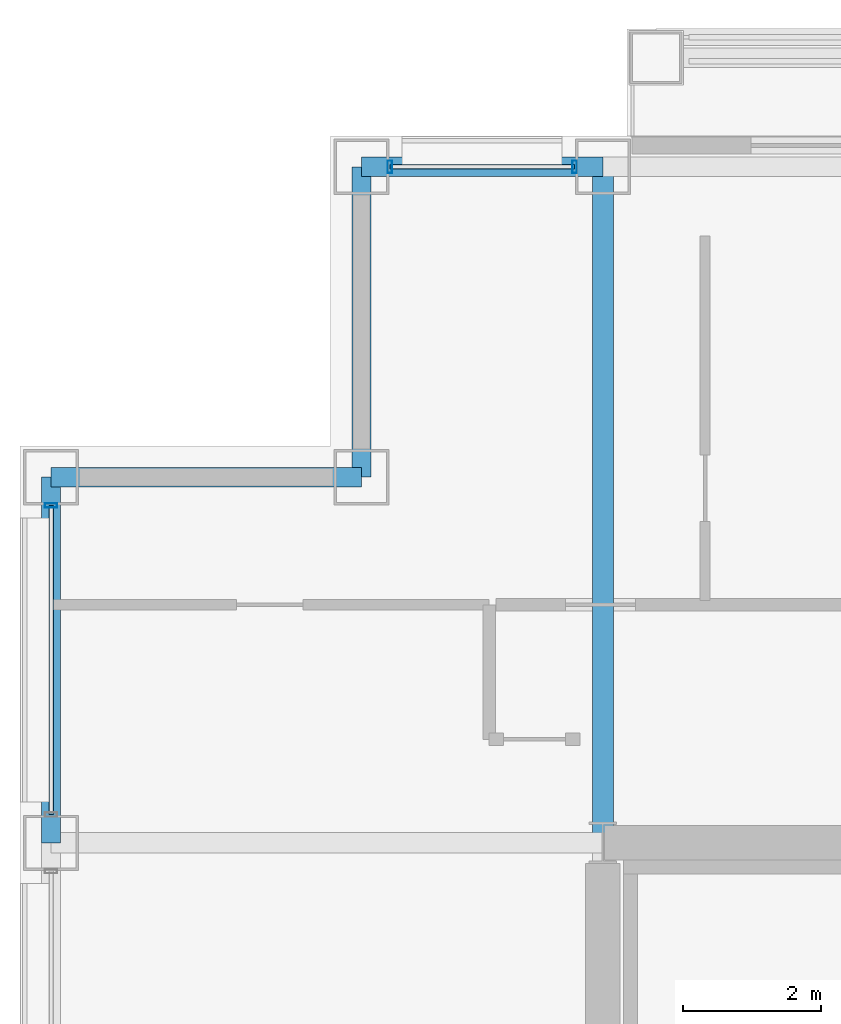
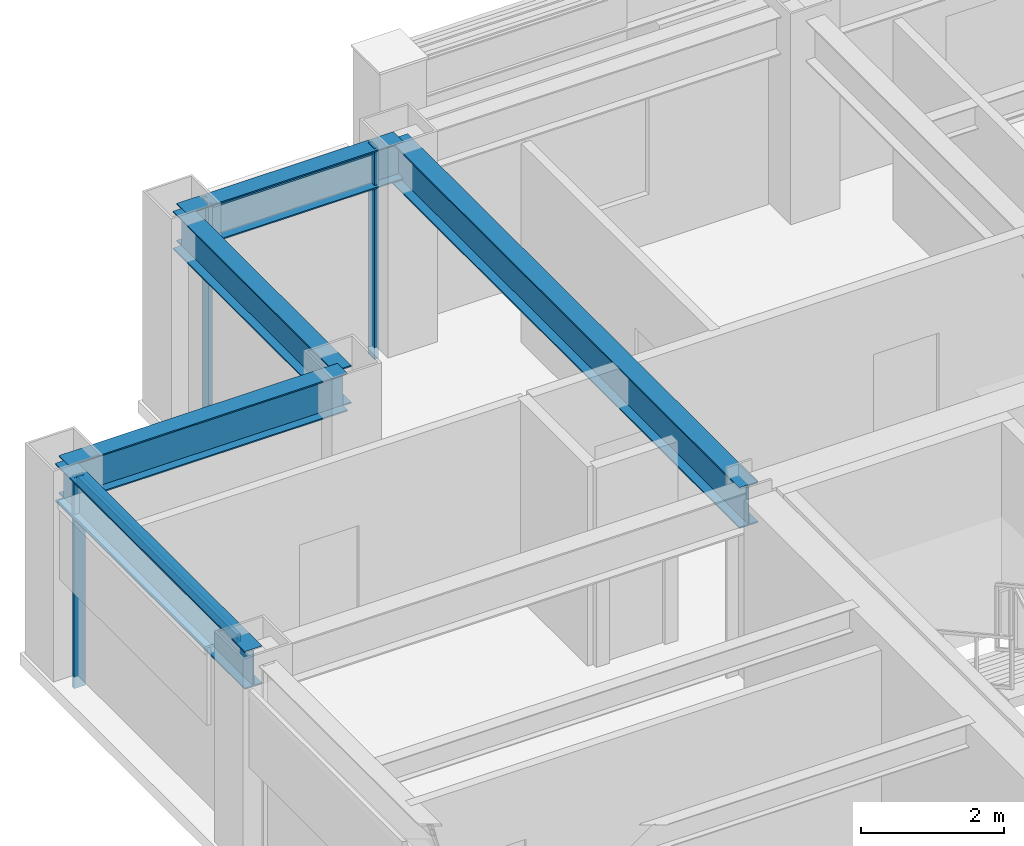
# One storey, part 17 of 29: 5 beams, 5 members, 2 elements without a shape of their own.
"""IFC4 building model written with IfcOpenShell, lengths in metres."""

import ifcopenshell
import ifcopenshell.guid

model = None  # the IFC model being written
_history = None  # IfcOwnerHistory: only IFC2X3 demands one
_inside = {}  # id of a spatial element -> (the spatial element, [elements in it])
_under = {}  # id of a project, library or spatial element -> (it, [spatial elements below it])
_declared = {}  # id of a project -> (the project, [libraries it declares])
_typed = {}  # id of a type object -> (the type object, [elements of that type])
_made_of = {}  # id of a material, layer set ... -> (it, [elements and type objects made of it])


def new_model(schema):
    """Start an empty IFC model of exactly this schema.

    Asked for "IFC4X3", IfcOpenShell would pick the latest addendum, in which some entities
    have other attributes; the version numbers below select the first issue.
    IFC2X3 requires an IfcOwnerHistory on every rooted entity: one is made here for all.
    """
    global model, _history
    if schema == "IFC4X3":
        model = ifcopenshell.file(schema_version=(4, 3, 0, 0))
    else:
        model = ifcopenshell.file(schema=schema)
    _inside.clear()
    _under.clear()
    _declared.clear()
    _typed.clear()
    _made_of.clear()
    _history = None
    if model.schema == "IFC2X3":
        org = make("IfcOrganization", Name="unknown")
        user = make(
            "IfcPersonAndOrganization",
            ThePerson=make("IfcPerson", FamilyName="unknown"),
            TheOrganization=org,
        )
        app = make(
            "IfcApplication",
            ApplicationDeveloper=org,
            Version="unknown",
            ApplicationFullName="unknown",
            ApplicationIdentifier="unknown",
        )
        _history = make(
            "IfcOwnerHistory",
            OwningUser=user,
            OwningApplication=app,
            ChangeAction="ADDED",
            CreationDate=0,
        )
    return model


def make(cls, **values):
    """One entity of the class cls with the attributes given. An attribute that is None is left unset."""
    return model.create_entity(
        cls, **{name: value for name, value in values.items() if value is not None}
    )


def rooted(cls, **values):
    """An entity with a GlobalId (a new one), such as an element, a storey or a relation."""
    return make(cls, GlobalId=ifcopenshell.guid.new(), OwnerHistory=_history, **values)


def si_unit(unit_type, name, prefix=None):
    """IfcSIUnit, for example si_unit("LENGTHUNIT", "METRE", prefix="MILLI")."""
    return make("IfcSIUnit", UnitType=unit_type, Prefix=prefix, Name=name)


def assignment(units):
    """IfcUnitAssignment: the units of a project."""
    return None if units is None else make("IfcUnitAssignment", Units=units)


def point(xyz):
    """IfcCartesianPoint."""
    return None if xyz is None else make("IfcCartesianPoint", Coordinates=xyz)


def direction(xyz):
    """IfcDirection."""
    return None if xyz is None else make("IfcDirection", DirectionRatios=xyz)


def frame(location, z_axis=None, x_axis=None):
    """IfcAxis2Placement3D, a coordinate frame: its origin and axes. An axis left out is left unset."""
    return make(
        "IfcAxis2Placement3D",
        Location=point(location),
        Axis=direction(z_axis),
        RefDirection=direction(x_axis),
    )


def frame_2d(location, x_axis=None):
    """IfcAxis2Placement2D, a coordinate frame in the plane: its origin and x axis."""
    return make(
        "IfcAxis2Placement2D", Location=point(location), RefDirection=direction(x_axis)
    )


def origin():
    """The frame at (0, 0, 0) with its axes left unset."""
    return frame((0.0, 0.0, 0.0))


def origin_2d():
    """The frame at (0, 0) in the plane with its x axis left unset."""
    return frame_2d((0.0, 0.0))


def place(relative_to, where):
    """IfcLocalPlacement: puts the frame where relative to a parent placement (None: the world)."""
    return make(
        "IfcLocalPlacement", PlacementRelTo=relative_to, RelativePlacement=where
    )


def context(
    kind, dimensions, precision=None, world=None, true_north=None, identifier=None
):
    """IfcGeometricRepresentationContext, for example the 3D "Model" context."""
    return make(
        "IfcGeometricRepresentationContext",
        ContextIdentifier=identifier,
        ContextType=kind,
        CoordinateSpaceDimension=dimensions,
        Precision=precision,
        WorldCoordinateSystem=world,
        TrueNorth=true_north,
    )


def subcontext(parent, identifier, kind, view, scale=None):
    """IfcGeometricRepresentationSubContext, for example "Body" below "Model"."""
    return make(
        "IfcGeometricRepresentationSubContext",
        ContextIdentifier=identifier,
        ContextType=kind,
        ParentContext=parent,
        TargetScale=scale,
        TargetView=view,
    )


def project(units=None, contexts=None):
    """IfcProject with its units and contexts."""
    return rooted(
        "IfcProject",
        Name="project",
        RepresentationContexts=contexts,
        UnitsInContext=assignment(units),
    )


def spatial(cls, under=None, at=None, **own):
    """A site, building, storey or space (cls), placed at a placement, below another one or the project."""
    s = rooted(cls, ObjectPlacement=at, **own)
    if under is not None:
        _under.setdefault(under.id(), (under, []))[1].append(s)
    return s


def profile(cls, at=None, kind="AREA", **sizes):
    """A parametric profile (cls). Its sizes go by their IFC names, for example OverallWidth=200.0."""
    return make(cls, ProfileType=kind, Position=at, **sizes)


def hollow_rectangle(**sizes):
    """IfcRectangleHollowProfileDef."""
    return profile("IfcRectangleHollowProfileDef", **sizes)


def i_section(**sizes):
    """IfcIShapeProfileDef."""
    return profile("IfcIShapeProfileDef", **sizes)


def extrude(swept, where, along, depth):
    """IfcExtrudedAreaSolid: the profile swept, set in the frame where, extruded along a direction by depth."""
    return make(
        "IfcExtrudedAreaSolid",
        SweptArea=swept,
        Position=where,
        ExtrudedDirection=direction(along),
        Depth=depth,
    )


def shape(context_of_items, identifier, shape_type, items):
    """IfcShapeRepresentation: the items that make up one representation, for example the "Body"."""
    return make(
        "IfcShapeRepresentation",
        ContextOfItems=context_of_items,
        RepresentationIdentifier=identifier,
        RepresentationType=shape_type,
        Items=items,
    )


def material(Name=None, Category=None):
    """IfcMaterial."""
    return make("IfcMaterial", Name=Name, Category=Category)


def layer(
    of_material, thickness, ventilated=None, Name=None, Category=None, Priority=None
):
    """IfcMaterialLayer: one layer of a wall or slab, of a material (None: an air gap)."""
    return make(
        "IfcMaterialLayer",
        Material=of_material,
        LayerThickness=thickness,
        IsVentilated=ventilated,
        Name=Name,
        Category=Category,
        Priority=Priority,
    )


def layer_set(layers, Name=None):
    """IfcMaterialLayerSet."""
    return make("IfcMaterialLayerSet", MaterialLayers=layers, LayerSetName=Name)


def material_profile(
    of_material, cross_section, Name=None, Category=None, Priority=None
):
    """IfcMaterialProfile: a cross section and its material."""
    return make(
        "IfcMaterialProfile",
        Name=Name,
        Material=of_material,
        Profile=cross_section,
        Priority=Priority,
        Category=Category,
    )


def profile_set(profiles, Name=None, composite=None):
    """IfcMaterialProfileSet."""
    return make(
        "IfcMaterialProfileSet",
        Name=Name,
        MaterialProfiles=profiles,
        CompositeProfile=composite,
    )


def made_of(thing, what):
    """Note that an element or type object is made of a material, layer set ...; save() writes the relation."""
    if what is not None:
        _made_of.setdefault(what.id(), (what, []))[1].append(thing)
    return thing


def type_object(cls, material=None, **own):
    """A type object (cls), such as IfcWallType, which elements share."""
    return made_of(rooted(cls, **own), material)


def element(
    cls,
    number,
    at=None,
    inside=None,
    cuts=None,
    type_object=None,
    material=None,
    context=None,
    identifier="Body",
    shape_type=None,
    held_by="IfcProductDefinitionShape",
    body=None,
    shapes=None,
    **own,
):
    """One element of the class cls, such as IfcWall. Its Tag is "e" and its number.

    at: its placement. inside: the storey or other place that contains it. cuts: it is an
    opening in that element (IfcRelVoidsElement). A single representation is given by context,
    identifier, shape_type and body (its items); several are given by shapes. held_by: the class
    of the entity that holds the representations. save() writes the other relations.
    """
    e = rooted(cls, Tag="e%d" % number, ObjectPlacement=at, **own)
    if body is not None:
        shapes = [shape(context, identifier, shape_type, body)]
    if shapes is not None:
        e.Representation = make(held_by, Representations=shapes)
    if inside is not None:
        _inside.setdefault(inside.id(), (inside, []))[1].append(e)
    if cuts is not None:
        rooted(
            "IfcRelVoidsElement", RelatingBuildingElement=cuts, RelatedOpeningElement=e
        )
    if type_object is not None:
        _typed.setdefault(type_object.id(), (type_object, []))[1].append(e)
    return made_of(e, material)


def aggregate(whole, parts):
    """IfcRelAggregates: a whole, such as a stair, and the parts it consists of."""
    return rooted("IfcRelAggregates", RelatingObject=whole, RelatedObjects=parts)


def save(model, path):
    """Write the relations noted so far, then the file.

    IfcRelAggregates (storeys below a building ...), IfcRelContainedInSpatialStructure (elements
    in a storey), IfcRelDefinesByType, IfcRelAssociatesMaterial and IfcRelDeclares: one each for
    every whole, place, type object, material and project.
    """
    for whole, parts in _under.values():
        aggregate(whole, parts)
    for where, things in _inside.values():
        rooted(
            "IfcRelContainedInSpatialStructure",
            RelatedElements=things,
            RelatingStructure=where,
        )
    for kind, things in _typed.values():
        rooted("IfcRelDefinesByType", RelatedObjects=things, RelatingType=kind)
    for what, things in _made_of.values():
        rooted("IfcRelAssociatesMaterial", RelatedObjects=things, RelatingMaterial=what)
    for by, libraries in _declared.values():
        rooted("IfcRelDeclares", RelatingContext=by, RelatedDefinitions=libraries)
    model.write(path)


model = new_model("IFC4")

# Units and contexts
model_context = context("Model", 3, precision=1e-05, world=origin(), true_north=direction((0.0, 1.0)))
body_context = subcontext(model_context, "Body", "Model", "MODEL_VIEW")
ifc_project = project(units=[si_unit("LENGTHUNIT", "METRE"), si_unit("AREAUNIT", "SQUARE_METRE"), si_unit("VOLUMEUNIT", "CUBIC_METRE"), si_unit("PLANEANGLEUNIT", "RADIAN"), si_unit("MASSUNIT", "GRAM", prefix="KILO")], contexts=[model_context])

# Site, building, storey
site_placement = place(None, origin())
site = spatial("IfcSite", under=ifc_project, at=site_placement, CompositionType="ELEMENT")
building_placement = place(site_placement, origin())
building = spatial("IfcBuilding", under=site, at=building_placement, Name="Brelmoor Portico Tower", CompositionType="ELEMENT")
storey_placement = place(building_placement, frame((0.0, 0.0, 138.60009765625)))
storey = spatial("IfcBuildingStorey", under=building, at=storey_placement, Name="L36", CompositionType="ELEMENT", Elevation=138.60009765625)

# Beams
ifc_material_1 = material(Name="Steel Q355B", Category="steel")
ifc_material_profile_1 = material_profile(ifc_material_1, i_section(OverallWidth=0.300048828125, OverallDepth=0.699951171875, WebThickness=0.012939453125, FlangeThickness=0.02392578125, at=origin_2d()), Name="HN 700x300x13x24")
ifc_profile_set_1 = profile_set([ifc_material_profile_1], Name="Steel Q355B")
beam_type_1 = type_object("IfcBeamType", Name="BM-PG-700", PredefinedType="BEAM", material=ifc_profile_set_1)
beam_1_placement = place(storey_placement, frame((-14.550048828125, 9.75, 3.0498046875), z_axis=(0.0, 1.0, 0.0), x_axis=(-1.0, 0.0, 0.0)))
element("IfcBeam", 1, at=beam_1_placement, inside=storey, type_object=beam_type_1, Name="L36 Primary Floor Girder PG-04", PredefinedType="BEAM", context=body_context, shape_type="SweptSolid", body=[
    extrude(i_section(OverallWidth=0.300048828125, OverallDepth=0.699951171875, WebThickness=0.012939453125, FlangeThickness=0.02392578125, at=origin_2d()), origin(), (0.0, 0.0, 1.0), 9.800048828125),
])
ifc_material_profile_2 = material_profile(ifc_material_1, i_section(OverallWidth=0.280029296875, OverallDepth=0.64990234375, WebThickness=0.012939453125, FlangeThickness=0.02197265625, at=origin_2d()), Name="HN 650x280x13x22")
ifc_profile_set_2 = profile_set([ifc_material_profile_2], Name="Steel Q355B")
beam_type_2 = type_object("IfcBeamType", Name="BM-SP-650", PredefinedType="SPANDREL", material=ifc_profile_set_2)
beam_2_placement = place(storey_placement, frame((-22.550048828125, 15.050048828125, 3.074951171875), z_axis=(1.0, 0.0, 0.0), x_axis=(0.0, 1.0, 0.0)))
element("IfcBeam", 2, at=beam_2_placement, inside=storey, type_object=beam_type_2, Name="L36 Perimeter Spandrel Beam SP-08", PredefinedType="SPANDREL", context=body_context, shape_type="SweptSolid", body=[
    extrude(i_section(OverallWidth=0.280029296875, OverallDepth=0.64990234375, WebThickness=0.012939453125, FlangeThickness=0.02197265625, at=origin_2d()), origin(), (0.0, 0.0, 1.0), 4.5),
])
beam_3_placement = place(storey_placement, frame((-18.050048828125, 19.550048828125, 3.074951171875), z_axis=(1.0, 0.0, 0.0), x_axis=(0.0, 1.0, 0.0)))
element("IfcBeam", 3, at=beam_3_placement, inside=storey, type_object=beam_type_2, Name="L36 Perimeter Spandrel Beam SP-10", PredefinedType="SPANDREL", context=body_context, shape_type="SweptSolid", body=[
    extrude(i_section(OverallWidth=0.280029296875, OverallDepth=0.64990234375, WebThickness=0.012939453125, FlangeThickness=0.02197265625, at=origin_2d()), origin(), (0.0, 0.0, 1.0), 3.5),
])
beam_4_placement = place(storey_placement, frame((-22.550048828125, 9.75, 3.074951171875), z_axis=(0.0, 1.0, 0.0), x_axis=(-1.0, 0.0, 0.0)))
element("IfcBeam", 4, at=beam_4_placement, inside=storey, type_object=beam_type_2, Name="L36 Perimeter Spandrel Beam SP-17", PredefinedType="SPANDREL", context=body_context, shape_type="SweptSolid", body=[
    extrude(i_section(OverallWidth=0.280029296875, OverallDepth=0.64990234375, WebThickness=0.012939453125, FlangeThickness=0.02197265625, at=origin_2d()), origin(), (0.0, 0.0, 1.0), 5.300048828125),
])
beam_5_placement = place(storey_placement, frame((-18.050048828125, 15.050048828125, 3.074951171875), z_axis=(0.0, 1.0, 0.0), x_axis=(-1.0, 0.0, 0.0)))
element("IfcBeam", 5, at=beam_5_placement, inside=storey, type_object=beam_type_2, Name="L36 Perimeter Spandrel Beam SP-19", PredefinedType="SPANDREL", context=body_context, shape_type="SweptSolid", body=[
    extrude(i_section(OverallWidth=0.280029296875, OverallDepth=0.64990234375, WebThickness=0.012939453125, FlangeThickness=0.02197265625, at=origin_2d()), origin(), (0.0, 0.0, 1.0), 4.5),
])

# Curtain wall, members
ifc_material_2 = material(Name="Anodised Aluminium Alloy 6063-T6", Category="aluminium")
ifc_layer = layer(ifc_material_2, 0.179931640625)
ifc_layer_set = layer_set([ifc_layer], Name="Anodised Aluminium Alloy 6063-T6")
curtain_wall_type = type_object("IfcCurtainWallType", Name="CW-TOWER-Z2-XB", PredefinedType="NOTDEFINED", material=ifc_layer_set)
curtain_wall_1_placement = place(storey_placement, origin())
curtain_wall_1 = element("IfcCurtainWall", 6, at=curtain_wall_1_placement, inside=storey, type_object=curtain_wall_type, Name="L36 Curtain Wall CW-L36-2L", PredefinedType="NOTDEFINED")
ifc_material_profile_3 = material_profile(ifc_material_2, hollow_rectangle(XDim=0.06494140625, YDim=0.179931640625, WallThickness=0.00390625, at=origin_2d()), Name="ALU MULLION 65x180")
ifc_profile_set_3 = profile_set([ifc_material_profile_3], Name="Anodised Aluminium Alloy 6063-T6")
member_type_1 = type_object("IfcMemberType", Name="MB-CW-MULL-180", PredefinedType="MULLION", material=ifc_profile_set_3)
member_1_placement = place(storey_placement, frame((-17.639892578125, 19.550048828125, -0.2001953125), z_axis=(0.0, 0.0, 1.0), x_axis=(1.0, 0.0, 0.0)))
member_1 = element("IfcMember", 7, at=member_1_placement, type_object=member_type_1, Name="CW-L36-2L Mullion 00", PredefinedType="MULLION", context=body_context, shape_type="SweptSolid", body=[
    extrude(hollow_rectangle(XDim=0.06494140625, YDim=0.179931640625, WallThickness=0.00390625, at=origin_2d()), origin(), (0.0, 0.0, 1.0), 3.60009765625),
])
member_2_placement = place(storey_placement, frame((-14.9599609375, 19.550048828125, -0.2001953125), z_axis=(0.0, 0.0, 1.0), x_axis=(1.0, 0.0, 0.0)))
member_2 = element("IfcMember", 8, at=member_2_placement, type_object=member_type_1, Name="CW-L36-2L Mullion 01", PredefinedType="MULLION", context=body_context, shape_type="SweptSolid", body=[
    extrude(hollow_rectangle(XDim=0.06494140625, YDim=0.179931640625, WallThickness=0.00390625, at=origin_2d()), origin(), (0.0, 0.0, 1.0), 3.60009765625),
])

# Curtain wall, member
curtain_wall_2_placement = place(storey_placement, origin())
curtain_wall_2 = element("IfcCurtainWall", 9, at=curtain_wall_2_placement, inside=storey, type_object=curtain_wall_type, Name="L36 Curtain Wall CW-L36-03-3", PredefinedType="NOTDEFINED")
member_3_placement = place(storey_placement, frame((-22.550048828125, 14.639892578125, -0.2001953125), z_axis=(0.0, 0.0, 1.0), x_axis=(0.0, 1.0, 0.0)))
member_3 = element("IfcMember", 10, at=member_3_placement, type_object=member_type_1, Name="CW-L36-03-3 Mullion 01", PredefinedType="MULLION", context=body_context, shape_type="SweptSolid", body=[
    extrude(hollow_rectangle(XDim=0.06494140625, YDim=0.179931640625, WallThickness=0.00390625, at=origin_2d()), origin(), (0.0, 0.0, 1.0), 3.60009765625),
])

# Member
ifc_material_profile_4 = material_profile(ifc_material_2, hollow_rectangle(XDim=0.06494140625, YDim=0.139892578125, WallThickness=0.00390625, at=origin_2d()), Name="ALU TRANSOM 65x140")
ifc_profile_set_4 = profile_set([ifc_material_profile_4], Name="Anodised Aluminium Alloy 6063-T6")
member_type_2 = type_object("IfcMemberType", Name="MB-CW-TRAN-140", PredefinedType="USERDEFINED", material=ifc_profile_set_4)
member_4_placement = place(storey_placement, frame((-17.639892578125, 19.550048828125, 3.329833984375), z_axis=(1.0, 0.0, 0.0), x_axis=(0.0, 1.0, 0.0)))
member_4 = element("IfcMember", 11, at=member_4_placement, type_object=member_type_2, Name="CW-L36-2L Transom 1-00", ObjectType="TRANSOM", PredefinedType="USERDEFINED", context=body_context, shape_type="SweptSolid", body=[
    extrude(hollow_rectangle(XDim=0.06494140625, YDim=0.139892578125, WallThickness=0.00390625, at=origin_2d()), origin(), (0.0, 0.0, 1.0), 2.679931640625),
])

aggregate(curtain_wall_1, [member_1, member_2, member_4])

member_5_placement = place(storey_placement, frame((-22.550048828125, 10.159912109375, 3.329833984375), z_axis=(0.0, 1.0, 0.0), x_axis=(-1.0, 0.0, 0.0)))
member_5 = element("IfcMember", 12, at=member_5_placement, type_object=member_type_2, Name="CW-L36-03-3 Transom 1-00", ObjectType="TRANSOM", PredefinedType="USERDEFINED", context=body_context, shape_type="SweptSolid", body=[
    extrude(hollow_rectangle(XDim=0.06494140625, YDim=0.139892578125, WallThickness=0.00390625, at=origin_2d()), origin(), (0.0, 0.0, 1.0), 4.47998046875),
])

aggregate(curtain_wall_2, [member_3, member_5])

save(model, "model.ifc")
